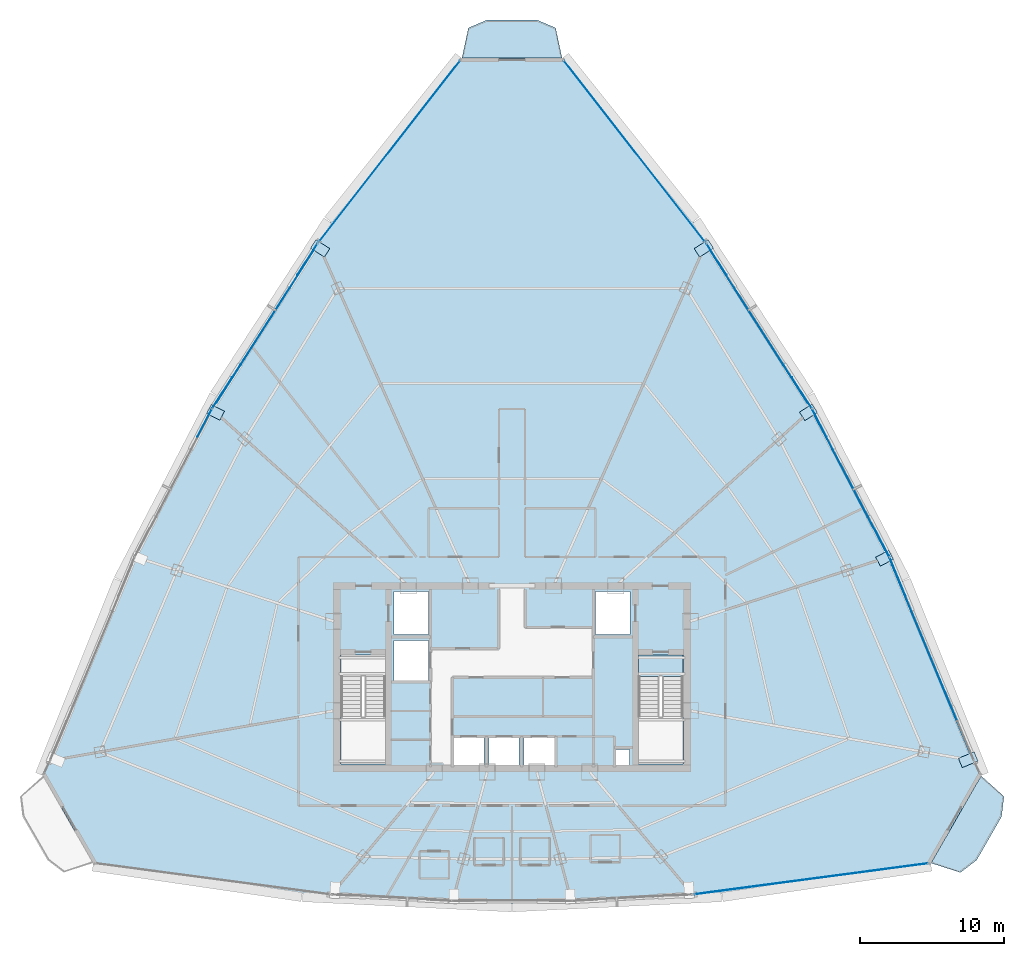
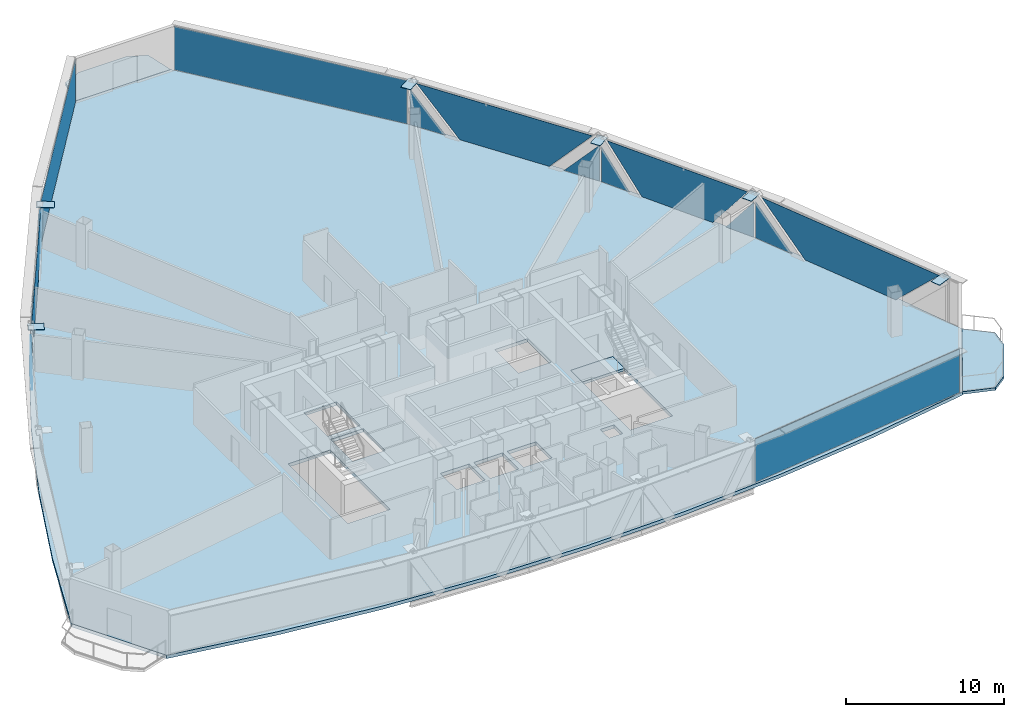
# One storey, part 31 of 39: 21 plates, 4 slabs, 9 elements without a shape of their own.
"""IFC4 building model written with IfcOpenShell, lengths in metres."""

from ifc_helpers import new_model, si_unit, direction, frame, origin, origin_2d, place, context, subcontext, project, spatial, polyline, rectangle, outline, extrude, source, transform, mapped, material, layer, layer_set, type_object, element, aggregate, save


model = new_model("IFC4")

# Units and contexts
model_context = context("Model", 3, precision=1e-05, world=origin(), true_north=direction((0.0, 1.0)))
body_context = subcontext(model_context, "Body", "Model", "MODEL_VIEW")
ifc_project = project(units=[si_unit("LENGTHUNIT", "METRE"), si_unit("AREAUNIT", "SQUARE_METRE"), si_unit("VOLUMEUNIT", "CUBIC_METRE"), si_unit("PLANEANGLEUNIT", "RADIAN"), si_unit("MASSUNIT", "GRAM", prefix="KILO"), si_unit("THERMODYNAMICTEMPERATUREUNIT", "KELVIN"), si_unit("POWERUNIT", "WATT")], contexts=[model_context])

# Site, building, storey
site_placement = place(None, origin())
site = spatial("IfcSite", under=ifc_project, at=site_placement, CompositionType="ELEMENT")
building_placement = place(site_placement, origin())
building = spatial("IfcBuilding", under=site, at=building_placement, Name="Yunzhuo Pagoda Commons", CompositionType="ELEMENT")
storey_placement = place(building_placement, frame((0.0, 0.0, 285.02001953125)))
storey = spatial("IfcBuildingStorey", under=building, at=storey_placement, Name="L71", CompositionType="ELEMENT", Elevation=285.02001953125)

# Curtain wall, plates
ifc_material_1 = material(Name="Anodized aluminium 6063-T6", Category="aluminium")
ifc_layer_1 = layer(ifc_material_1, 0.139892578125)
ifc_layer_set_1 = layer_set([ifc_layer_1], Name="Anodized aluminium 6063-T6")
curtain_wall_type = type_object("IfcCurtainWallType", Name="CW-HI High-Zone Ribbon Curtain Wall", PredefinedType="NOTDEFINED", material=ifc_layer_set_1)
curtain_wall_1_placement = place(storey_placement, origin())
curtain_wall_1 = element("IfcCurtainWall", 1, at=curtain_wall_1_placement, inside=storey, type_object=curtain_wall_type, Name="L71 curtain wall CW-L71-F2B2", PredefinedType="NOTDEFINED")
ifc_material_2 = material(Name="Tempered low-e double glazing", Category="glass")
ifc_layer_2 = layer(ifc_material_2, 0.02587890625)
ifc_layer_set_2 = layer_set([ifc_layer_2], Name="Tempered low-e double glazing")
plate_type_1 = type_object("IfcPlateType", Name="CW-HI-P Low-E Double Glazing 26", PredefinedType="CURTAIN_PANEL", material=ifc_layer_set_2)
plate_1_placement = place(storey_placement, frame((77.158447265625, 35.113037109375, 1.73486328125), z_axis=(0.923393531316, 0.383854642182, 0.0), x_axis=(-0.383854642182, 0.923393531316, 0.0)))
plate_1 = element("IfcPlate", 2, at=plate_1_placement, type_object=plate_type_1, Name="CW panel 1.1 lite 2", PredefinedType="CURTAIN_PANEL", context=body_context, shape_type="SweptSolid", body=[
    extrude(outline(polyline([(-7.085205078125, 1.679931640625), (-3.622802734375, -1.679931640625), (3.622802734375, -1.679931640625), (7.085205078125, 1.679931640625), (-7.085205078125, 1.679931640625)])), origin(), (0.0, 0.0, 1.0), 0.028076171875),
])
plate_2_placement = place(storey_placement, frame((74.817626953125, 40.822509765625, 1.46875), z_axis=(0.923393531316, 0.383854642182, 0.0), x_axis=(-0.383854642182, 0.923393531316, 0.0)))
plate_2 = element("IfcPlate", 3, at=plate_2_placement, type_object=plate_type_1, Name="CW panel 1.1 lite 3", PredefinedType="CURTAIN_PANEL", context=body_context, shape_type="SweptSolid", body=[
    extrude(outline(polyline([(-1.456787109375, -1.413818359375), (1.456787109375, -1.413818359375), (1.456787109375, 1.413818359375), (-1.456787109375, -1.413818359375)])), origin(), (0.0, 0.0, 1.0), 0.028076171875),
])
aggregate(curtain_wall_1, [plate_1, plate_2])

curtain_wall_2_placement = place(storey_placement, origin())
curtain_wall_2 = element("IfcCurtainWall", 4, at=curtain_wall_2_placement, inside=storey, type_object=curtain_wall_type, Name="L71 curtain wall CW-L71-F2B3", PredefinedType="NOTDEFINED")
plate_3_placement = place(storey_placement, frame((73.71923828125, 43.211181640625, 1.4140625), z_axis=(0.886404488049, 0.462911528876, 0.0), x_axis=(-0.462911528876, 0.886404488049, 0.0)))
plate_3 = element("IfcPlate", 5, at=plate_3_placement, type_object=plate_type_1, Name="CW panel 1.1 lite 1", PredefinedType="CURTAIN_PANEL", context=body_context, shape_type="SweptSolid", body=[
    extrude(outline(polyline([(-1.055908203125, -1.359130859375), (1.055908203125, -1.359130859375), (-1.055908203125, 1.359130859375), (-1.055908203125, -1.359130859375)])), origin(), (0.0, 0.0, 1.0), 0.028076171875),
])
plate_4_placement = place(storey_placement, frame((71.5263671875, 47.34521484375, 1.73486328125), z_axis=(0.886404488049, 0.462911528876, 0.0), x_axis=(-0.462911528876, 0.886404488049, 0.0)))
plate_4 = element("IfcPlate", 6, at=plate_4_placement, type_object=plate_type_1, Name="CW panel 1.1 lite 2", PredefinedType="CURTAIN_PANEL", context=body_context, shape_type="SweptSolid", body=[
    extrude(outline(polyline([(-5.271484375, 1.679931640625), (-2.6611328125, -1.679931640625), (2.6611328125, -1.679931640625), (5.271484375, 1.679931640625), (-5.271484375, 1.679931640625)])), origin(), (0.0, 0.0, 1.0), 0.028076171875),
])
plate_5_placement = place(storey_placement, frame((69.386962890625, 51.507080078125, 1.4140625), z_axis=(0.886404488049, 0.462911528876, 0.0), x_axis=(-0.462911528876, 0.886404488049, 0.0)))
plate_5 = element("IfcPlate", 7, at=plate_5_placement, type_object=plate_type_1, Name="CW panel 1.1 lite 3", PredefinedType="CURTAIN_PANEL", context=body_context, shape_type="SweptSolid", body=[
    extrude(outline(polyline([(-1.055908203125, -1.359130859375), (1.055908203125, -1.359130859375), (1.055908203125, 1.359130859375), (-1.055908203125, -1.359130859375)])), origin(), (0.0, 0.0, 1.0), 0.028076171875),
])
aggregate(curtain_wall_2, [plate_3, plate_4, plate_5])

curtain_wall_3_placement = place(storey_placement, origin())
curtain_wall_3 = element("IfcCurtainWall", 8, at=curtain_wall_3_placement, inside=storey, type_object=curtain_wall_type, Name="L71 curtain wall CW-L71-F2B4", PredefinedType="NOTDEFINED")
plate_6_placement = place(storey_placement, frame((68.14990234375, 53.624267578125, 1.44873046875), z_axis=(0.842779157761, 0.538259501768, 0.0), x_axis=(-0.538259501768, 0.842779157761, 0.0)))
plate_6 = element("IfcPlate", 9, at=plate_6_placement, type_object=plate_type_1, Name="CW panel 1.1 lite 1", PredefinedType="CURTAIN_PANEL", context=body_context, shape_type="SweptSolid", body=[
    extrude(outline(polyline([(-1.279541015625, -1.393798828125), (1.279541015625, -1.393798828125), (-1.279541015625, 1.393798828125), (-1.279541015625, -1.393798828125)])), origin(), (0.0, 0.0, 1.0), 0.028076171875),
])
plate_7_placement = place(storey_placement, frame((65.15966796875, 58.25048828125, 1.73486328125), z_axis=(0.842779157761, 0.538259501768, 0.0), x_axis=(-0.538259501768, 0.842779157761, 0.0)))
plate_7 = element("IfcPlate", 10, at=plate_7_placement, type_object=plate_type_1, Name="CW panel 1.1 lite 2", PredefinedType="CURTAIN_PANEL", context=body_context, shape_type="SweptSolid", body=[
    extrude(outline(polyline([(-6.28173828125, 1.679931640625), (-3.197265625, -1.679931640625), (3.197265625, -1.679931640625), (6.28173828125, 1.679931640625), (-6.28173828125, 1.679931640625)])), origin(), (0.0, 0.0, 1.0), 0.028076171875),
])
plate_8_placement = place(storey_placement, frame((62.219970703125, 62.9091796875, 1.44873046875), z_axis=(0.842779157761, 0.538259501768, 0.0), x_axis=(-0.538259501768, 0.842779157761, 0.0)))
plate_8 = element("IfcPlate", 11, at=plate_8_placement, type_object=plate_type_1, Name="CW panel 1.1 lite 3", PredefinedType="CURTAIN_PANEL", context=body_context, shape_type="SweptSolid", body=[
    extrude(outline(polyline([(-1.279541015625, -1.393798828125), (1.279541015625, -1.393798828125), (1.279541015625, 1.393798828125), (-1.279541015625, -1.393798828125)])), origin(), (0.0, 0.0, 1.0), 0.028076171875),
])
aggregate(curtain_wall_3, [plate_6, plate_7, plate_8])

curtain_wall_4_placement = place(storey_placement, origin())
curtain_wall_4 = element("IfcCurtainWall", 12, at=curtain_wall_4_placement, inside=storey, type_object=curtain_wall_type, Name="L71 curtain wall CW-L71-F3B2", PredefinedType="NOTDEFINED")
plate_9_placement = place(storey_placement, frame((33.780029296875, 62.9091796875, 1.44873046875), z_axis=(-0.842779157761, 0.538259501768, 0.0), x_axis=(-0.538259501768, -0.842779157761, 0.0)))
plate_9 = element("IfcPlate", 13, at=plate_9_placement, type_object=plate_type_1, Name="CW panel 1.1 lite 1", PredefinedType="CURTAIN_PANEL", context=body_context, shape_type="SweptSolid", body=[
    extrude(outline(polyline([(-1.279541015625, -1.393798828125), (1.279541015625, -1.393798828125), (-1.279541015625, 1.393798828125), (-1.279541015625, -1.393798828125)])), origin(), (0.0, 0.0, 1.0), 0.028076171875),
])
plate_10_placement = place(storey_placement, frame((30.84033203125, 58.25048828125, 1.73486328125), z_axis=(-0.842779157761, 0.538259501768, 0.0), x_axis=(-0.538259501768, -0.842779157761, 0.0)))
plate_10 = element("IfcPlate", 14, at=plate_10_placement, type_object=plate_type_1, Name="CW panel 1.1 lite 2", PredefinedType="CURTAIN_PANEL", context=body_context, shape_type="SweptSolid", body=[
    extrude(outline(polyline([(-6.28173828125, 1.679931640625), (-3.197265625, -1.679931640625), (3.197265625, -1.679931640625), (6.28173828125, 1.679931640625), (-6.28173828125, 1.679931640625)])), origin(), (0.0, 0.0, 1.0), 0.028076171875),
])
plate_11_placement = place(storey_placement, frame((27.85009765625, 53.624267578125, 1.44873046875), z_axis=(-0.842779157761, 0.538259501768, 0.0), x_axis=(-0.538259501768, -0.842779157761, 0.0)))
plate_11 = element("IfcPlate", 15, at=plate_11_placement, type_object=plate_type_1, Name="CW panel 1.1 lite 3", PredefinedType="CURTAIN_PANEL", context=body_context, shape_type="SweptSolid", body=[
    extrude(outline(polyline([(-1.279541015625, -1.393798828125), (1.279541015625, -1.393798828125), (1.279541015625, 1.393798828125), (-1.279541015625, -1.393798828125)])), origin(), (0.0, 0.0, 1.0), 0.028076171875),
])
aggregate(curtain_wall_4, [plate_9, plate_10, plate_11])

# Curtain wall, plate
curtain_wall_5_placement = place(storey_placement, origin())
curtain_wall_5 = element("IfcCurtainWall", 16, at=curtain_wall_5_placement, inside=storey, type_object=curtain_wall_type, Name="L71 curtain wall CW-L71-F3B3", PredefinedType="NOTDEFINED")
plate_12_placement = place(storey_placement, frame((26.613037109375, 51.507080078125, 1.4140625), z_axis=(-0.886404488049, 0.462911528876, 0.0), x_axis=(-0.462911528876, -0.886404488049, 0.0)))
plate_12 = element("IfcPlate", 17, at=plate_12_placement, type_object=plate_type_1, Name="CW panel 1.1 lite 1", PredefinedType="CURTAIN_PANEL", context=body_context, shape_type="SweptSolid", body=[
    extrude(outline(polyline([(-1.055908203125, -1.359130859375), (1.055908203125, -1.359130859375), (-1.055908203125, 1.359130859375), (-1.055908203125, -1.359130859375)])), origin(), (0.0, 0.0, 1.0), 0.028076171875),
])
aggregate(curtain_wall_5, [plate_12])

# Slabs
ifc_material_3 = material(Name="Concrete C40", Category="concrete")
ifc_layer_3 = layer(ifc_material_3, 0.199951171875)
ifc_layer_set_3 = layer_set([ifc_layer_3], Name="Concrete C40")
slab_type_1 = type_object("IfcSlabType", Name="SL-BAL Vertex Balcony Deck Slab 200", PredefinedType="FLOOR", material=ifc_layer_set_3)
slab_1_placement = place(storey_placement, frame((0.0, 0.0, -0.199951171875)))
element("IfcSlab", 18, at=slab_1_placement, inside=storey, type_object=slab_type_1, Name="L71 corner balcony V2", PredefinedType="FLOOR", context=body_context, shape_type="SweptSolid", body=[
    extrude(outline(polyline([(77.158203125, 20.912109375), (80.640380859375, 26.976806640625), (82.233154296875, 25.54345703125), (82.063720703125, 24.1435546875), (80.322509765625, 21.111328125), (79.198974609375, 20.25927734375), (77.158203125, 20.912109375)])), origin(), (0.0, 0.0, 1.0), 0.199951171875),
])
slab_2_placement = place(storey_placement, frame((0.0, 0.0, -0.199951171875)))
element("IfcSlab", 19, at=slab_2_placement, inside=storey, type_object=slab_type_1, Name="L71 corner balcony V3", PredefinedType="FLOOR", context=body_context, shape_type="SweptSolid", body=[
    extrude(outline(polyline([(51.482177734375, 76.927978515625), (44.517822265625, 76.927978515625), (44.9677734375, 79.02294921875), (46.2587890625, 79.572998046875), (49.7412109375, 79.572998046875), (51.0322265625, 79.02294921875), (51.482177734375, 76.927978515625)])), origin(), (0.0, 0.0, 1.0), 0.199951171875),
])

# Stair, slab
stair_type = type_object("IfcStairType", Name="ST-C2 Core Smokeproof Stair ST2", PredefinedType="HALF_TURN_STAIR", material=ifc_material_3)
stair_placement = place(storey_placement, origin())
stair = element("IfcStair", 20, at=stair_placement, inside=storey, type_object=stair_type, Name="L71 Core smokeproof stair ST2", PredefinedType="HALF_TURN_STAIR")
ifc_layer_4 = layer(ifc_material_3, 0.201904296875)
ifc_layer_set_4 = layer_set([ifc_layer_4], Name="Concrete C40")
slab_type_2 = type_object("IfcSlabType", Name="SL-LND2 Stair Landing Slab 202", PredefinedType="LANDING", material=ifc_layer_set_4)
slab_3_placement = place(storey_placement, frame((0.0, 0.0, -0.199951171875)))
slab_3 = element("IfcSlab", 21, at=slab_3_placement, type_object=slab_type_2, Name="ST2 floor landing L71", PredefinedType="LANDING", context=body_context, shape_type="SweptSolid", body=[
    extrude(outline(polyline([(56.800048828125, 35.39990234375), (56.800048828125, 33.89990234375), (59.89990234375, 33.89990234375), (59.89990234375, 35.39990234375), (56.800048828125, 35.39990234375)])), origin(), (0.0, 0.0, 1.0), 0.199951171875),
])
aggregate(stair, [slab_3])

# Slab
ifc_layer_5 = layer(ifc_material_3, 0.260009765625)
ifc_layer_set_5 = layer_set([ifc_layer_5], Name="Concrete C40")
slab_type_3 = type_object("IfcSlabType", Name="SL-TWR Typical Tower Floor Slab 260", PredefinedType="FLOOR", material=ifc_layer_set_5)
slab_4_placement = place(storey_placement, frame((0.0, 0.0, -0.260009765625)))
element("IfcSlab", 22, at=slab_4_placement, inside=storey, type_object=slab_type_3, Name="L71 structural floor slab", PredefinedType="FLOOR", context=body_context, shape_type="SweptSolid", body=[
    extrude(outline(polyline([(17.936279296875, 33.847900390625), (20.814697265625, 40.5380859375), (23.99951171875, 47.049072265625), (27.490478515625, 53.381591796875), (31.287841796875, 59.534912109375), (35.3916015625, 65.509765625), (39.801513671875, 71.3056640625), (44.517822265625, 76.9228515625), (51.482177734375, 76.9228515625), (56.198486328125, 71.3056640625), (60.6083984375, 65.509765625), (64.712158203125, 59.534912109375), (68.509521484375, 53.381591796875), (72.00048828125, 47.049072265625), (75.185302734375, 40.5380859375), (78.063720703125, 33.847900390625), (80.635986328125, 26.979248046875), (77.15380859375, 20.91455078125), (69.865478515625, 19.67333984375), (62.576904296875, 18.78662109375), (55.288330078125, 18.254638671875), (48.0, 18.077392578125), (40.711669921875, 18.254638671875), (33.423095703125, 18.78662109375), (26.134765625, 19.67333984375), (18.84619140625, 20.91455078125), (15.364013671875, 26.979248046875), (17.936279296875, 33.847900390625)]), holes=[polyline([(56.179931640625, 28.800048828125), (55.179931640625, 28.800048828125), (55.179931640625, 27.699951171875), (56.179931640625, 27.699951171875), (56.179931640625, 28.800048828125)]), polyline([(46.050048828125, 29.64990234375), (43.949951171875, 29.64990234375), (43.949951171875, 27.60009765625), (46.050048828125, 27.60009765625), (46.050048828125, 29.64990234375)]), polyline([(48.5, 29.64990234375), (46.39990234375, 29.64990234375), (46.39990234375, 27.60009765625), (48.5, 27.60009765625), (48.5, 29.64990234375)]), polyline([(50.949951171875, 29.64990234375), (48.85009765625, 29.64990234375), (48.85009765625, 27.60009765625), (50.949951171875, 27.60009765625), (50.949951171875, 29.64990234375)]), polyline([(39.199951171875, 27.800048828125), (39.199951171875, 35.39990234375), (36.10009765625, 35.39990234375), (36.10009765625, 27.800048828125), (39.199951171875, 27.800048828125)]), polyline([(59.89990234375, 27.800048828125), (59.89990234375, 35.39990234375), (56.800048828125, 35.39990234375), (56.800048828125, 27.800048828125), (59.89990234375, 27.800048828125)]), polyline([(42.199951171875, 36.39990234375), (39.800048828125, 36.39990234375), (39.800048828125, 33.60009765625), (42.199951171875, 33.60009765625), (42.199951171875, 36.39990234375)]), polyline([(42.199951171875, 36.800048828125), (42.199951171875, 39.800048828125), (39.800048828125, 39.800048828125), (39.800048828125, 36.800048828125), (42.199951171875, 36.800048828125)]), polyline([(56.199951171875, 36.800048828125), (56.199951171875, 39.800048828125), (53.800048828125, 39.800048828125), (53.800048828125, 36.800048828125), (56.199951171875, 36.800048828125)])]), origin(), (0.0, 0.0, 1.0), 0.260009765625),
])

# Plates
ifc_material_4 = material(Name="Structural steel Q355B", Category="steel")
ifc_layer_6 = layer(ifc_material_4, 0.028076171875)
ifc_layer_set_6 = layer_set([ifc_layer_6], Name="Structural steel Q355B")
plate_type_2 = type_object("IfcPlateType", Name="SP-ND1 Lattice Node Cap Plate 800x500x28", PredefinedType="USERDEFINED", material=ifc_layer_set_6)
shared_shape_1 = source(origin(), body_context, "Body", "SweptSolid", [
    extrude(rectangle(XDim=0.699951171875, YDim=1.180908203125, at=origin_2d()), origin(), (0.0, 0.0, 1.0), 0.035888671875),
])
plate_13_placement = place(storey_placement, frame((79.740966796875, 28.103271484375, 3.43212890625), z_axis=(0.0, 0.0, 1.0), x_axis=(-0.383860227441, 0.923391209504, 0.0)))
element("IfcPlate", 23, at=plate_13_placement, inside=storey, type_object=plate_type_2, Name="L71 setback lattice tie plate F2.1L", ObjectType="STIFFENER_PLATE", PredefinedType="USERDEFINED", context=body_context, shape_type="MappedRepresentation", body=[
    mapped(shared_shape_1, transform((0.0, 0.0, 0.0), scale=1.0)),
])
shared_shape_2 = source(origin(), body_context, "Body", "SweptSolid", [
    extrude(rectangle(XDim=0.699951171875, YDim=1.03271484375, at=origin_2d()), origin(), (0.0, 0.0, 1.0), 0.035888671875),
])
plate_14_placement = place(storey_placement, frame((73.923583984375, 42.123046875, 3.43212890625), z_axis=(0.0, 0.0, 1.0), x_axis=(-0.462909311772, 0.886405645895, 0.0)))
element("IfcPlate", 24, at=plate_14_placement, inside=storey, type_object=plate_type_2, Name="L71 setback lattice tie plate F2.2L", ObjectType="STIFFENER_PLATE", PredefinedType="USERDEFINED", context=body_context, shape_type="MappedRepresentation", body=[
    mapped(shared_shape_2, transform((0.0, 0.0, 0.0), scale=1.0)),
])
shared_shape_3 = source(origin(), body_context, "Body", "SweptSolid", [
    extrude(rectangle(XDim=0.699951171875, YDim=1.0361328125, at=origin_2d()), origin(), (0.0, 0.0, 1.0), 0.035888671875),
])
for number, where, z_axis, x_axis, name in (
    (25, (68.627685546875, 52.273193359375, 3.43212890625), (0.0, 0.0, 1.0), (-0.538256059632, 0.842781356147, 0.0), "L71 setback lattice tie plate F2.3L"),
    (26, (27.372314453125, 52.273193359375, 3.43212890625), (0.0, 0.0, 1.0), (-0.462909311772, -0.886405645895, 0.0), "L71 setback lattice tie plate F3.2L"),
):
    element("IfcPlate", number, at=place(storey_placement, frame(where, z_axis=z_axis, x_axis=x_axis)), inside=storey, type_object=plate_type_2, Name=name, ObjectType="STIFFENER_PLATE", PredefinedType="USERDEFINED", context=body_context, shape_type="MappedRepresentation", body=[
        mapped(shared_shape_3, transform((0.0, 0.0, 0.0), scale=1.0)),
    ])
shared_shape_4 = source(origin(), body_context, "Body", "SweptSolid", [
    extrude(rectangle(XDim=0.699951171875, YDim=1.144775390625, at=origin_2d()), origin(), (0.0, 0.0, 1.0), 0.035888671875),
])
for number, where, z_axis, x_axis, name in (
    (27, (61.34912109375, 63.6826171875, 3.43212890625), (0.0, 0.0, 1.0), (-0.538256059632, 0.842781356147, 0.0), "L71 setback lattice tie plate F2.3R"),
    (28, (34.65087890625, 63.6826171875, 3.43212890625), (0.0, 0.0, 1.0), (-0.538256059632, -0.842781356147, 0.0), "L71 setback lattice tie plate F3.1L"),
):
    element("IfcPlate", number, at=place(storey_placement, frame(where, z_axis=z_axis, x_axis=x_axis)), inside=storey, type_object=plate_type_2, Name=name, ObjectType="STIFFENER_PLATE", PredefinedType="USERDEFINED", context=body_context, shape_type="MappedRepresentation", body=[
        mapped(shared_shape_4, transform((0.0, 0.0, 0.0), scale=1.0)),
    ])

# Curtain wall, plate
curtain_wall_6_placement = place(storey_placement, origin())
curtain_wall_6 = element("IfcCurtainWall", 29, at=curtain_wall_6_placement, inside=storey, type_object=curtain_wall_type, Name="L71 curtain wall CW-L71-F1B5", PredefinedType="NOTDEFINED")
shared_shape_5 = source(origin(), body_context, "Body", "SweptSolid", [
    extrude(rectangle(XDim=16.37353515625, YDim=0.028076171875, at=origin_2d()), origin(), (0.0, 0.0, 1.0), 3.360107421875),
])
plate_15_placement = place(storey_placement, frame((68.818359375, 19.81396484375, 0.0546875), z_axis=(0.0, 0.0, 1.0), x_axis=(0.991341168318, 0.131311416098, 0.0)))
plate_15 = element("IfcPlate", 30, at=plate_15_placement, type_object=plate_type_1, Name="CW panel 1.1", PredefinedType="CURTAIN_PANEL", context=body_context, shape_type="MappedRepresentation", body=[
    mapped(shared_shape_5, transform((0.0, 0.0, 0.0), scale=1.0)),
])
aggregate(curtain_wall_6, [plate_15])

curtain_wall_7_placement = place(storey_placement, origin())
curtain_wall_7 = element("IfcCurtainWall", 31, at=curtain_wall_7_placement, inside=storey, type_object=curtain_wall_type, Name="L71 curtain wall CW-L71-F2B5", PredefinedType="NOTDEFINED")
shared_shape_6 = source(origin(), body_context, "Body", "SweptSolid", [
    extrude(rectangle(XDim=15.965576171875, YDim=0.028076171875, at=origin_2d()), origin(), (0.0, 0.0, 1.0), 3.360107421875),
])
plate_16_placement = place(storey_placement, frame((56.52099609375, 70.44873046875, 0.0546875), z_axis=(0.0, 0.0, 1.0), x_axis=(-0.614671579353, 0.78878314481, 0.0)))
plate_16 = element("IfcPlate", 32, at=plate_16_placement, type_object=plate_type_1, Name="CW panel 1.1", PredefinedType="CURTAIN_PANEL", context=body_context, shape_type="MappedRepresentation", body=[
    mapped(shared_shape_6, transform((0.0, 0.0, 0.0), scale=1.0)),
])
aggregate(curtain_wall_7, [plate_16])

curtain_wall_8_placement = place(storey_placement, origin())
curtain_wall_8 = element("IfcCurtainWall", 33, at=curtain_wall_8_placement, inside=storey, type_object=curtain_wall_type, Name="L71 curtain wall CW-L71-F3B1", PredefinedType="NOTDEFINED")
plate_17_placement = place(storey_placement, frame((39.47900390625, 70.44873046875, 0.0546875), z_axis=(0.0, 0.0, 1.0), x_axis=(-0.614671579353, -0.78878314481, 0.0)))
plate_17 = element("IfcPlate", 34, at=plate_17_placement, type_object=plate_type_1, Name="CW panel 1.1", PredefinedType="CURTAIN_PANEL", context=body_context, shape_type="MappedRepresentation", body=[
    mapped(shared_shape_6, transform((0.0, 0.0, 0.0), scale=1.0)),
])
aggregate(curtain_wall_8, [plate_17])

save(model, "model.ifc")
